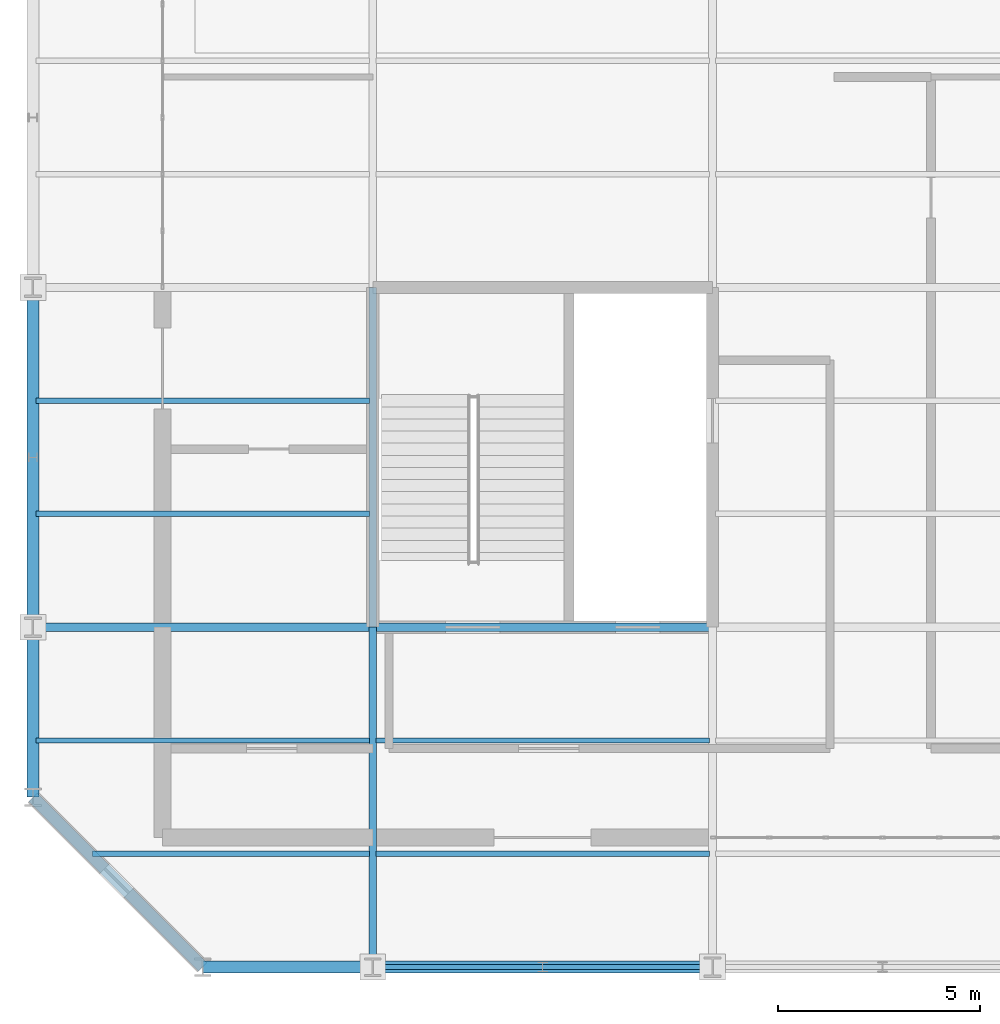
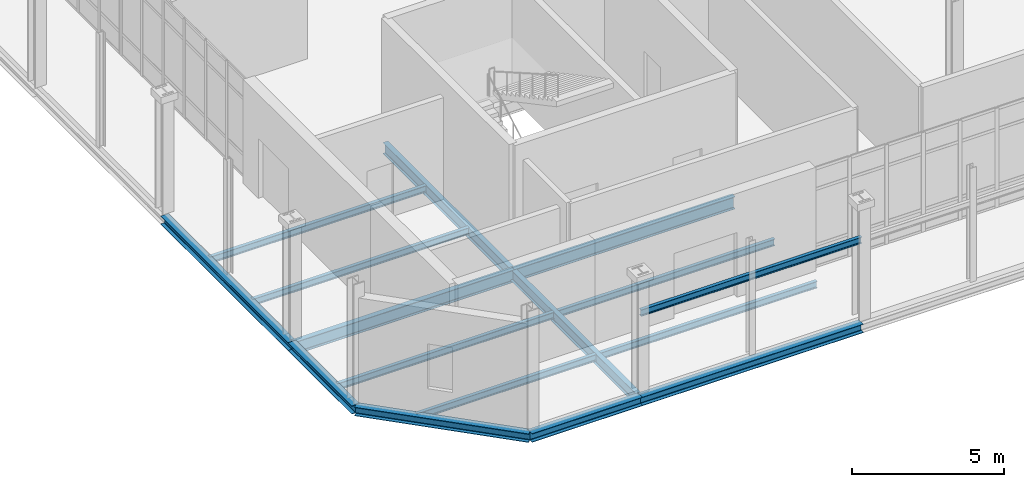
# One storey, part 22 of 145: 16 beams.
"""IFC4 building model written with IfcOpenShell, lengths in metres."""

from ifc_helpers import new_model, si_unit, direction, frame, origin, origin_2d, place, context, subcontext, project, spatial, i_section, extrude, material, material_profile, profile_set, type_object, element, save


model = new_model("IFC4")

# Units and contexts
model_context = context("Model", 3, precision=1e-05, world=origin(), true_north=direction((0.0, 1.0)))
body_context = subcontext(model_context, "Body", "Model", "MODEL_VIEW")
ifc_project = project(units=[si_unit("LENGTHUNIT", "METRE"), si_unit("AREAUNIT", "SQUARE_METRE"), si_unit("VOLUMEUNIT", "CUBIC_METRE"), si_unit("PLANEANGLEUNIT", "RADIAN"), si_unit("MASSUNIT", "GRAM", prefix="KILO")], contexts=[model_context])

# Site, building, storey
site_placement = place(None, origin())
site = spatial("IfcSite", under=ifc_project, at=site_placement, CompositionType="ELEMENT")
building_placement = place(site_placement, origin())
building = spatial("IfcBuilding", under=site, at=building_placement, Name="Qalvenar Corner Mobility Hub", CompositionType="ELEMENT")
storey_placement = place(building_placement, origin())
storey = spatial("IfcBuildingStorey", under=building, at=storey_placement, Name="L00", CompositionType="ELEMENT", Elevation=0.0)

# Beams
ifc_material = material(Name="Steel S355", Category="steel")
ifc_material_profile_1 = material_profile(ifc_material, i_section(OverallWidth=0.18994140625, OverallDepth=0.449951171875, WebThickness=0.009521484375, FlangeThickness=0.0146484375, FilletRadius=0.02099609375, at=origin_2d()), Name="IPE450")
ifc_profile_set_1 = profile_set([ifc_material_profile_1], Name="Steel S355")
beam_type_1 = type_object("IfcBeamType", Name="BM-IPE450", PredefinedType="BEAM", material=ifc_profile_set_1)
beam_1_placement = place(storey_placement, frame((8.39990234375, 0.0, -0.445068359375), z_axis=(0.0, 1.0, 0.0), x_axis=(-1.0, 0.0, 0.0)))
element("IfcBeam", 1, at=beam_1_placement, inside=storey, type_object=beam_type_1, Name="Primary Steel Girder GY-0042", PredefinedType="BEAM", context=body_context, shape_type="SweptSolid", body=[
    extrude(i_section(OverallWidth=0.18994140625, OverallDepth=0.449951171875, WebThickness=0.009521484375, FlangeThickness=0.0146484375, FilletRadius=0.02099609375, at=origin_2d()), origin(), (0.0, 0.0, 1.0), 8.39990234375),
])
beam_2_placement = place(storey_placement, frame((8.39990234375, 8.39990234375, -0.445068359375), z_axis=(0.0, 1.0, 0.0), x_axis=(-1.0, 0.0, 0.0)))
element("IfcBeam", 2, at=beam_2_placement, inside=storey, type_object=beam_type_1, Name="Primary Steel Girder GY-0043", PredefinedType="BEAM", context=body_context, shape_type="SweptSolid", body=[
    extrude(i_section(OverallWidth=0.18994140625, OverallDepth=0.449951171875, WebThickness=0.009521484375, FlangeThickness=0.0146484375, FilletRadius=0.02099609375, at=origin_2d()), origin(), (0.0, 0.0, 1.0), 8.400146484375),
])
ifc_material_profile_2 = material_profile(ifc_material, i_section(OverallWidth=0.199951171875, OverallDepth=0.5, WebThickness=0.01025390625, FlangeThickness=0.01611328125, FilletRadius=0.02099609375, at=origin_2d()), Name="IPE500")
ifc_profile_set_2 = profile_set([ifc_material_profile_2], Name="Steel S355")
beam_type_2 = type_object("IfcBeamType", Name="BM-IPE500", PredefinedType="BEAM", material=ifc_profile_set_2)
beam_3_placement = place(storey_placement, frame((0.0, 8.39990234375, -0.469970703125), z_axis=(1.0, 0.0, 0.0), x_axis=(0.0, 1.0, 0.0)))
element("IfcBeam", 3, at=beam_3_placement, inside=storey, type_object=beam_type_2, Name="Primary Steel Girder GX-0007", PredefinedType="BEAM", context=body_context, shape_type="SweptSolid", body=[
    extrude(i_section(OverallWidth=0.199951171875, OverallDepth=0.5, WebThickness=0.01025390625, FlangeThickness=0.01611328125, FilletRadius=0.02099609375, at=origin_2d()), origin(), (0.0, 0.0, 1.0), 8.39990234375),
])
beam_4_placement = place(storey_placement, frame((8.39990234375, 8.39990234375, -0.469970703125), z_axis=(1.0, 0.0, 0.0), x_axis=(0.0, 1.0, 0.0)))
element("IfcBeam", 4, at=beam_4_placement, inside=storey, type_object=beam_type_2, Name="Primary Steel Girder GX-0008", PredefinedType="BEAM", context=body_context, shape_type="SweptSolid", body=[
    extrude(i_section(OverallWidth=0.199951171875, OverallDepth=0.5, WebThickness=0.01025390625, FlangeThickness=0.01611328125, FilletRadius=0.02099609375, at=origin_2d()), origin(), (0.0, 0.0, 1.0), 8.400146484375),
])
ifc_material_profile_3 = material_profile(ifc_material, i_section(OverallWidth=0.135009765625, OverallDepth=0.27001953125, WebThickness=0.006591796875, FlangeThickness=0.01025390625, FilletRadius=0.014892578125, at=origin_2d()), Name="IPE270")
ifc_profile_set_3 = profile_set([ifc_material_profile_3], Name="Steel S355")
beam_type_3 = type_object("IfcBeamType", Name="BM-JST270", PredefinedType="JOIST", material=ifc_profile_set_3)
beam_5_placement = place(storey_placement, frame((1.47802734375, 2.800048828125, -0.35498046875), z_axis=(1.0, 0.0, 0.0), x_axis=(0.0, 1.0, 0.0)))
element("IfcBeam", 5, at=beam_5_placement, inside=storey, type_object=beam_type_3, Name="Composite Floor Joist J-0073", PredefinedType="JOIST", context=body_context, shape_type="SweptSolid", body=[
    extrude(i_section(OverallWidth=0.135009765625, OverallDepth=0.27001953125, WebThickness=0.006591796875, FlangeThickness=0.01025390625, FilletRadius=0.014892578125, at=origin_2d()), origin(), (0.0, 0.0, 1.0), 6.843994140625),
])
for number, where, z_axis, x_axis, name in (
    (6, (0.077880859375, 5.60009765625, -0.35498046875), (1.0, 0.0, 0.0), (0.0, 1.0, 0.0), "Composite Floor Joist J-0074"),
    (7, (0.077880859375, 11.199951171875, -0.35498046875), (1.0, 0.0, 0.0), (0.0, 1.0, 0.0), "Composite Floor Joist J-0075"),
    (8, (0.077880859375, 14.0, -0.35498046875), (1.0, 0.0, 0.0), (0.0, 1.0, 0.0), "Composite Floor Joist J-0076"),
):
    element("IfcBeam", number, at=place(storey_placement, frame(where, z_axis=z_axis, x_axis=x_axis)), inside=storey, type_object=beam_type_3, Name=name, PredefinedType="JOIST", context=body_context, shape_type="SweptSolid", body=[
        extrude(i_section(OverallWidth=0.135009765625, OverallDepth=0.27001953125, WebThickness=0.006591796875, FlangeThickness=0.01025390625, FilletRadius=0.014892578125, at=origin_2d()), origin(), (0.0, 0.0, 1.0), 8.244140625),
    ])
for number, where, z_axis, x_axis, name in (
    (9, (8.47802734375, 2.800048828125, -0.35498046875), (1.0, 0.0, 0.0), (0.0, 1.0, 0.0), "Composite Floor Joist J-0083"),
    (10, (8.47802734375, 5.60009765625, -0.35498046875), (1.0, 0.0, 0.0), (0.0, 1.0, 0.0), "Composite Floor Joist J-0084"),
):
    element("IfcBeam", number, at=place(storey_placement, frame(where, z_axis=z_axis, x_axis=x_axis)), inside=storey, type_object=beam_type_3, Name=name, PredefinedType="JOIST", context=body_context, shape_type="SweptSolid", body=[
        extrude(i_section(OverallWidth=0.135009765625, OverallDepth=0.27001953125, WebThickness=0.006591796875, FlangeThickness=0.01025390625, FilletRadius=0.014892578125, at=origin_2d()), origin(), (0.0, 0.0, 1.0), 8.243896484375),
    ])
ifc_material_profile_4 = material_profile(ifc_material, i_section(OverallWidth=0.1298828125, OverallDepth=0.260009765625, WebThickness=0.00634765625, FlangeThickness=0.010009765625, FilletRadius=0.014892578125, at=origin_2d()), Name="IPE260-EQ")
ifc_profile_set_4 = profile_set([ifc_material_profile_4], Name="Steel S355")
beam_type_4 = type_object("IfcBeamType", Name="BM-LNT260", PredefinedType="LINTEL", material=ifc_profile_set_4)
beam_6_placement = place(storey_placement, frame((8.39990234375, 0.0, 3.10009765625), z_axis=(1.0, 0.0, 0.0), x_axis=(0.0, 1.0, 0.0)))
element("IfcBeam", 11, at=beam_6_placement, inside=storey, type_object=beam_type_4, Name="Colonnade Shade Transom PRG-1", PredefinedType="LINTEL", context=body_context, shape_type="SweptSolid", body=[
    extrude(i_section(OverallWidth=0.1298828125, OverallDepth=0.260009765625, WebThickness=0.00634765625, FlangeThickness=0.010009765625, FilletRadius=0.014892578125, at=origin_2d()), origin(), (0.0, 0.0, 1.0), 8.400146484375),
])
ifc_material_profile_5 = material_profile(ifc_material, i_section(OverallWidth=0.300048828125, OverallDepth=0.330078125, WebThickness=0.009521484375, FlangeThickness=0.0166015625, FilletRadius=0.027099609375, at=origin_2d()), Name="HEA340")
ifc_profile_set_5 = profile_set([ifc_material_profile_5], Name="Steel S355")
beam_type_5 = type_object("IfcBeamType", Name="BM-SPN340", PredefinedType="SPANDREL", material=ifc_profile_set_5)
beam_7_placement = place(storey_placement, frame((0.0, 4.199951171875, -0.385009765625), z_axis=(0.0, 1.0, 0.0), x_axis=(-1.0, 0.0, 0.0)))
element("IfcBeam", 12, at=beam_7_placement, inside=storey, type_object=beam_type_5, Name="Primary Steel Girder GY-0037", PredefinedType="SPANDREL", context=body_context, shape_type="SweptSolid", body=[
    extrude(i_section(OverallWidth=0.300048828125, OverallDepth=0.330078125, WebThickness=0.009521484375, FlangeThickness=0.0166015625, FilletRadius=0.027099609375, at=origin_2d()), origin(), (0.0, 0.0, 1.0), 4.199951171875),
])
beam_8_placement = place(storey_placement, frame((0.0, 8.39990234375, -0.385009765625), z_axis=(0.0, 1.0, 0.0), x_axis=(-1.0, 0.0, 0.0)))
element("IfcBeam", 13, at=beam_8_placement, inside=storey, type_object=beam_type_5, Name="Primary Steel Girder GY-0038", PredefinedType="SPANDREL", context=body_context, shape_type="SweptSolid", body=[
    extrude(i_section(OverallWidth=0.300048828125, OverallDepth=0.330078125, WebThickness=0.009521484375, FlangeThickness=0.0166015625, FilletRadius=0.027099609375, at=origin_2d()), origin(), (0.0, 0.0, 1.0), 8.400146484375),
])
ifc_material_profile_6 = material_profile(ifc_material, i_section(OverallWidth=0.300048828125, OverallDepth=0.35009765625, WebThickness=0.010009765625, FlangeThickness=0.017578125, FilletRadius=0.027099609375, at=origin_2d()), Name="HEA360")
ifc_profile_set_6 = profile_set([ifc_material_profile_6], Name="Steel S355")
beam_type_6 = type_object("IfcBeamType", Name="BM-SPN360", PredefinedType="SPANDREL", material=ifc_profile_set_6)
beam_9_placement = place(storey_placement, frame((4.199951171875, 0.0, -0.39501953125), z_axis=(1.0, 0.0, 0.0), x_axis=(0.0, 1.0, 0.0)))
element("IfcBeam", 14, at=beam_9_placement, inside=storey, type_object=beam_type_6, Name="Primary Steel Girder GX-0001", PredefinedType="SPANDREL", context=body_context, shape_type="SweptSolid", body=[
    extrude(i_section(OverallWidth=0.300048828125, OverallDepth=0.35009765625, WebThickness=0.010009765625, FlangeThickness=0.017578125, FilletRadius=0.027099609375, at=origin_2d()), origin(), (0.0, 0.0, 1.0), 4.199951171875),
])
beam_10_placement = place(storey_placement, frame((8.39990234375, 0.0, -0.39501953125), z_axis=(1.0, 0.0, 0.0), x_axis=(0.0, 1.0, 0.0)))
element("IfcBeam", 15, at=beam_10_placement, inside=storey, type_object=beam_type_6, Name="Primary Steel Girder GX-0002", PredefinedType="SPANDREL", context=body_context, shape_type="SweptSolid", body=[
    extrude(i_section(OverallWidth=0.300048828125, OverallDepth=0.35009765625, WebThickness=0.010009765625, FlangeThickness=0.017578125, FilletRadius=0.027099609375, at=origin_2d()), origin(), (0.0, 0.0, 1.0), 8.400146484375),
])
beam_11_placement = place(storey_placement, frame((4.199951171875, 0.0, -0.39501953125), z_axis=(-0.707106781187, 0.707106781187, 0.0), x_axis=(-0.707106781187, -0.707106781187, 0.0)))
element("IfcBeam", 16, at=beam_11_placement, inside=storey, type_object=beam_type_6, Name="Corner Splay Spandrel Girder GSPL-0072", PredefinedType="SPANDREL", context=body_context, shape_type="SweptSolid", body=[
    extrude(i_section(OverallWidth=0.300048828125, OverallDepth=0.35009765625, WebThickness=0.010009765625, FlangeThickness=0.017578125, FilletRadius=0.027099609375, at=origin_2d()), origin(), (0.0, 0.0, 1.0), 5.939697265625),
])

save(model, "model.ifc")
